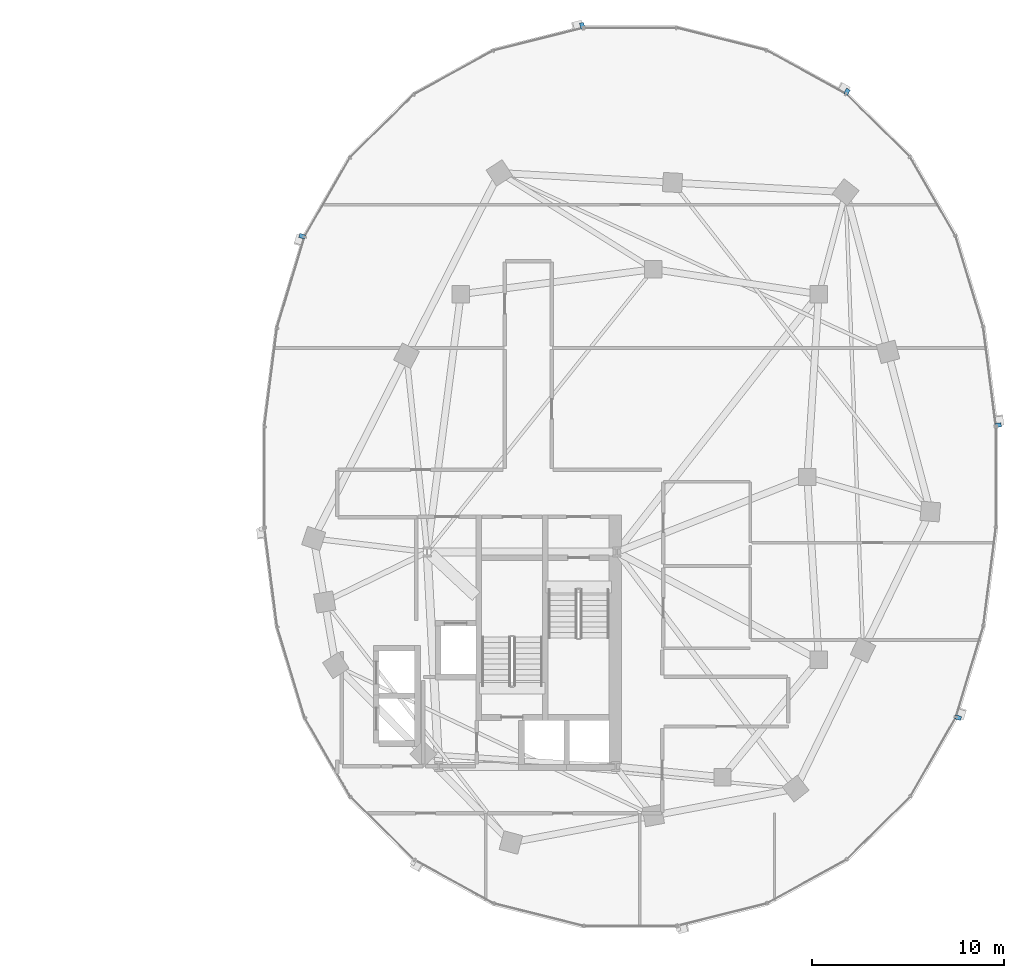
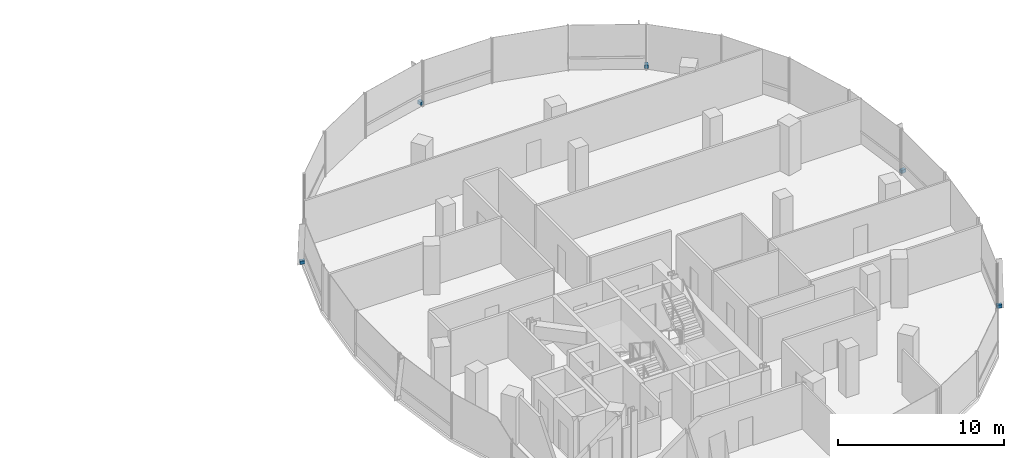
# One storey, part 18 of 23: 5 discrete accessories.
"""IFC4 building model written with IfcOpenShell, lengths in metres."""

from ifc_helpers import new_model, si_unit, direction, frame, origin, origin_2d, place, context, subcontext, project, spatial, rectangle, extrude, material, type_object, element, save


model = new_model("IFC4")

# Units and contexts
model_context = context("Model", 3, precision=1e-05, world=origin(), true_north=direction((0.0, 1.0)))
body_context = subcontext(model_context, "Body", "Model", "MODEL_VIEW")
ifc_project = project(units=[si_unit("LENGTHUNIT", "METRE"), si_unit("AREAUNIT", "SQUARE_METRE"), si_unit("VOLUMEUNIT", "CUBIC_METRE"), si_unit("PLANEANGLEUNIT", "RADIAN"), si_unit("MASSUNIT", "GRAM", prefix="KILO"), si_unit("THERMODYNAMICTEMPERATUREUNIT", "KELVIN"), si_unit("POWERUNIT", "WATT")], contexts=[model_context])

# Site, building, storey
site_placement = place(None, origin())
site = spatial("IfcSite", under=ifc_project, at=site_placement, CompositionType="ELEMENT")
building_placement = place(site_placement, origin())
building = spatial("IfcBuilding", under=site, at=building_placement, Name="Cundina Bronze Exchange", CompositionType="ELEMENT")
storey_placement = place(building_placement, frame((0.0, 0.0, 169.199951171875)))
storey = spatial("IfcBuildingStorey", under=building, at=storey_placement, Name="L44", CompositionType="ELEMENT", Elevation=169.199951171875)

# Discrete accessories
ifc_material = material(Name="Anodised Bronze Aluminium 6063-T6", Category="aluminium")
discrete_accessory_type = type_object("IfcDiscreteAccessoryType", Name="ACC-BRK-FIN", PredefinedType="BRACKET", material=ifc_material)
for number, where, z_axis, x_axis, name in (
    (1, (51.125732421875, 2.69189453125, 0.10009765625), (0.0, 0.0, 1.0), (-0.126475984253, 0.9919696696, 0.0), "L44 Fin Support Bracket 1"),
    (2, (43.266845703125, 20.015380859375, 0.10009765625), (0.0, 0.0, 1.0), (-0.875869093438, 0.482548786301, 0.0), "L44 Fin Support Bracket 5"),
    (3, (29.507080078125, 23.44970703125, 0.10009765625), (0.0, 0.0, 1.0), (-0.970092713791, -0.242734683656, 0.0), "L44 Fin Support Bracket 1"),
    (4, (14.9541015625, 12.511962890625, 0.10009765625), (0.0, 0.0, 1.0), (-0.290050843957, -0.957011237092, 0.0), "L44 Fin Support Bracket 5"),
    (5, (49.0458984375, -12.511962890625, 0.10009765625), (0.0, 0.0, 1.0), (0.290050843957, 0.957011237092, 0.0), "L44 Fin Support Bracket 5"),
):
    element("IfcDiscreteAccessory", number, at=place(storey_placement, frame(where, z_axis=z_axis, x_axis=x_axis)), inside=storey, type_object=discrete_accessory_type, Name=name, PredefinedType="BRACKET", context=body_context, shape_type="SweptSolid", body=[
        extrude(rectangle(XDim=0.219970703125, YDim=0.320068359375, at=origin_2d()), origin(), (0.0, 0.0, 1.0), 0.239990234375),
    ])

save(model, "model.ifc")
